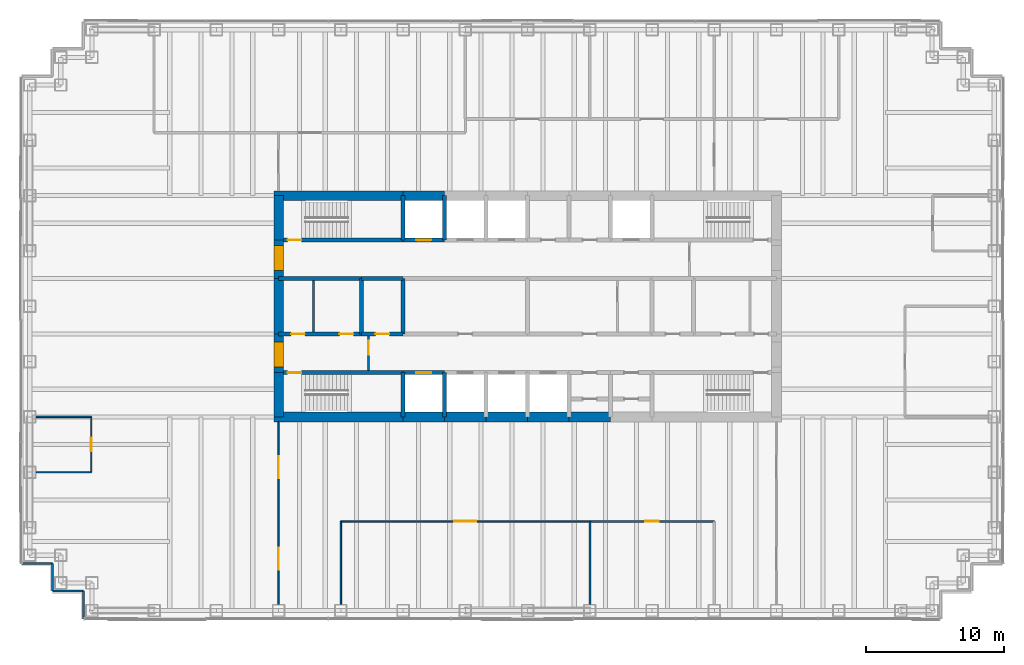
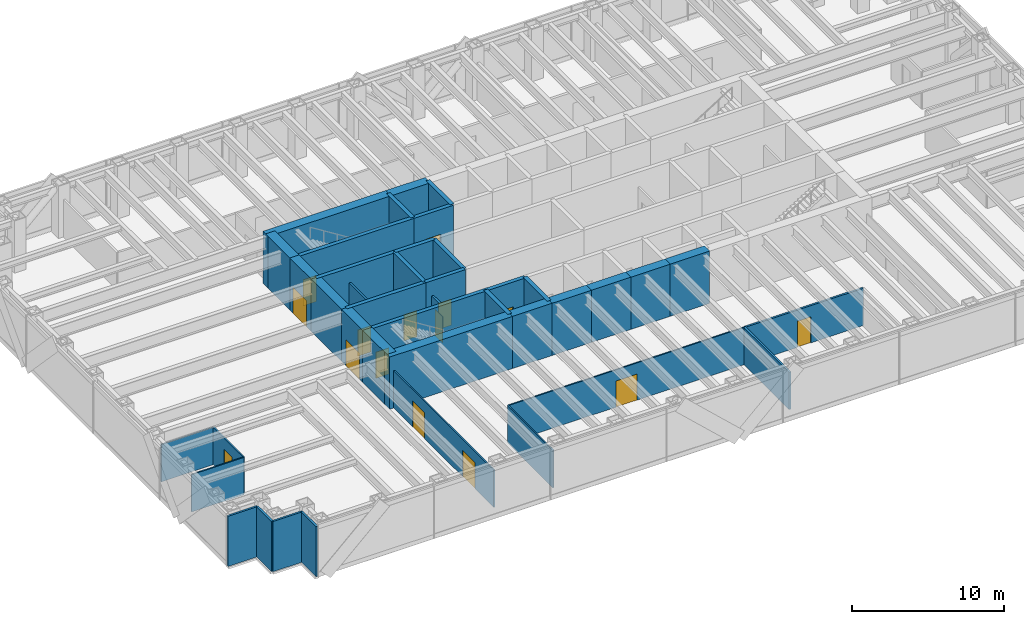
# One storey, part 13 of 17: 41 walls, 15 doors, 15 openings.
"""IFC4 building model written with IfcOpenShell, lengths in metres."""

from ifc_helpers import new_model, si_unit, direction, frame, frame_2d, origin, place, context, subcontext, project, spatial, rectangle, extrude, material, layer, layer_set, type_object, element, fill, save


model = new_model("IFC4")

# Units and contexts
model_context = context("Model", 3, precision=1e-05, world=origin(), true_north=direction((0.0, 1.0)))
body_context = subcontext(model_context, "Body", "Model", "MODEL_VIEW")
ifc_project = project(units=[si_unit("LENGTHUNIT", "METRE"), si_unit("AREAUNIT", "SQUARE_METRE"), si_unit("VOLUMEUNIT", "CUBIC_METRE"), si_unit("PLANEANGLEUNIT", "RADIAN"), si_unit("MASSUNIT", "GRAM", prefix="KILO")], contexts=[model_context])

# Site, building, storey
site_placement = place(None, origin())
site = spatial("IfcSite", under=ifc_project, at=site_placement, CompositionType="ELEMENT")
building_placement = place(site_placement, origin())
building = spatial("IfcBuilding", under=site, at=building_placement, Name="Rheinbord Bourse Tower", CompositionType="ELEMENT")
storey_placement = place(building_placement, frame((0.0, 0.0, 304.699951171875)))
storey = spatial("IfcBuildingStorey", under=building, at=storey_placement, Name="L69", CompositionType="ELEMENT", Elevation=304.699951171875)

# Wall, opening, door
ifc_material_1 = material(Name="Concrete C50/60", Category="concrete")
ifc_layer_1 = layer(ifc_material_1, 0.300048828125)
ifc_layer_set_1 = layer_set([ifc_layer_1], Name="CORE INNER WALL 300")
wall_type_1 = type_object("IfcWallType", Name="CORE INNER WALL 300", PredefinedType="SOLIDWALL", material=ifc_layer_set_1)
wall_1_placement = place(storey_placement, frame((18.0, 19.199951171875, 0.0), z_axis=(0.0, 0.0, 1.0), x_axis=(1.0, 0.0, 0.0)))
wall_1 = element("IfcWall", 1, at=wall_1_placement, inside=storey, type_object=wall_type_1, Name="Core wall A1 L69", PredefinedType="SOLIDWALL", context=body_context, shape_type="SweptSolid", body=[
    extrude(rectangle(XDim=9.0, YDim=0.300048828125, at=frame_2d((4.5, 0.0))), origin(), (0.0, 0.0, 1.0), 4.199951171875),
])
opening_1_placement = place(wall_1_placement, frame((0.64990234375, 0.0, 0.0)))
opening_1 = element("IfcOpeningElement", 2, at=opening_1_placement, cuts=wall_1, Name="Opening 6910", PredefinedType="OPENING", context=body_context, shape_type="SweptSolid", body=[
    extrude(rectangle(XDim=1.0, YDim=2.10009765625, at=frame_2d((0.5, 1.050048828125))), frame((0.0, 0.159912109375, 0.0), z_axis=(0.0, -1.0, 0.0), x_axis=(1.0, 0.0, 0.0)), (0.0, 0.0, 1.0), 0.320068359375),
])
ifc_material_2 = material(Name="Steel door", Category="steel")
door_type_1 = type_object("IfcDoorType", Name="DOOR 1000 EI30", OperationType="SINGLE_SWING_LEFT", PredefinedType="DOOR", material=ifc_material_2)
door_1_placement = place(opening_1_placement, origin())
door_1 = element("IfcDoor", 3, at=door_1_placement, inside=storey, type_object=door_type_1, Name="Stair door ST1 L69", OperationType="SINGLE_SWING_LEFT", OverallHeight=2.10009765625, OverallWidth=1.0, PredefinedType="DOOR", context=body_context, shape_type="SweptSolid", body=[
    extrude(rectangle(XDim=1.0, YDim=2.10009765625, at=frame_2d((0.5, 1.050048828125))), frame((0.0, 0.02490234375, 0.0), z_axis=(0.0, -1.0, 0.0), x_axis=(1.0, 0.0, 0.0)), (0.0, 0.0, 1.0), 0.050048828125),
])
fill(opening_1, door_1)

wall_2_placement = place(storey_placement, frame((27.0, 19.199951171875, 0.0), z_axis=(0.0, 0.0, 1.0), x_axis=(1.0, 0.0, 0.0)))
wall_2 = element("IfcWall", 4, at=wall_2_placement, inside=storey, type_object=wall_type_1, Name="Core wall A2 L69", PredefinedType="SOLIDWALL", context=body_context, shape_type="SweptSolid", body=[
    extrude(rectangle(XDim=3.0, YDim=0.300048828125, at=frame_2d((1.5, 0.0))), origin(), (0.0, 0.0, 1.0), 4.199951171875),
])
opening_2_placement = place(wall_2_placement, frame((0.949951171875, 0.0, 0.0)))
opening_2 = element("IfcOpeningElement", 5, at=opening_2_placement, cuts=wall_2, Name="Opening FL1", PredefinedType="OPENING", context=body_context, shape_type="SweptSolid", body=[
    extrude(rectangle(XDim=1.10009765625, YDim=2.199951171875, at=frame_2d((0.550048828125, 1.10009765625))), frame((0.0, 0.159912109375, 0.0), z_axis=(0.0, -1.0, 0.0), x_axis=(1.0, 0.0, 0.0)), (0.0, 0.0, 1.0), 0.320068359375),
])
ifc_material_3 = material(Name="Steel landing door", Category="steel")
door_type_2 = type_object("IfcDoorType", Name="LIFT LANDING DOOR 1100", OperationType="DOUBLE_DOOR_SLIDING", PredefinedType="USERDEFINED", material=ifc_material_3)
door_2_placement = place(opening_2_placement, origin())
door_2 = element("IfcDoor", 6, at=door_2_placement, inside=storey, type_object=door_type_2, Name="Lift landing door FL1 L69", ObjectType="LIFT LANDING DOOR", OperationType="DOUBLE_DOOR_SLIDING", OverallHeight=2.199951171875, OverallWidth=1.10009765625, PredefinedType="USERDEFINED", context=body_context, shape_type="SweptSolid", body=[
    extrude(rectangle(XDim=1.10009765625, YDim=2.199951171875, at=frame_2d((0.550048828125, 1.10009765625))), frame((0.0, 0.02490234375, 0.0), z_axis=(0.0, -1.0, 0.0), x_axis=(1.0, 0.0, 0.0)), (0.0, 0.0, 1.0), 0.050048828125),
])
fill(opening_2, door_2)

wall_3_placement = place(storey_placement, frame((18.0, 28.800048828125, 0.0), z_axis=(0.0, 0.0, 1.0), x_axis=(1.0, 0.0, 0.0)))
wall_3 = element("IfcWall", 7, at=wall_3_placement, inside=storey, type_object=wall_type_1, Name="Core wall B1 L69", PredefinedType="SOLIDWALL", context=body_context, shape_type="SweptSolid", body=[
    extrude(rectangle(XDim=9.0, YDim=0.300048828125, at=frame_2d((4.5, 0.0))), origin(), (0.0, 0.0, 1.0), 4.199951171875),
])
opening_3_placement = place(wall_3_placement, frame((0.64990234375, 0.0, 0.0)))
opening_3 = element("IfcOpeningElement", 8, at=opening_3_placement, cuts=wall_3, Name="Opening 6920", PredefinedType="OPENING", context=body_context, shape_type="SweptSolid", body=[
    extrude(rectangle(XDim=1.0, YDim=2.10009765625, at=frame_2d((0.5, 1.050048828125))), frame((0.0, 0.159912109375, 0.0), z_axis=(0.0, -1.0, 0.0), x_axis=(1.0, 0.0, 0.0)), (0.0, 0.0, 1.0), 0.320068359375),
])
door_3_placement = place(opening_3_placement, origin())
door_3 = element("IfcDoor", 9, at=door_3_placement, inside=storey, type_object=door_type_1, Name="Stair door ST2 L69", OperationType="SINGLE_SWING_LEFT", OverallHeight=2.10009765625, OverallWidth=1.0, PredefinedType="DOOR", context=body_context, shape_type="SweptSolid", body=[
    extrude(rectangle(XDim=1.0, YDim=2.10009765625, at=frame_2d((0.5, 1.050048828125))), frame((0.0, 0.02490234375, 0.0), z_axis=(0.0, -1.0, 0.0), x_axis=(1.0, 0.0, 0.0)), (0.0, 0.0, 1.0), 0.050048828125),
])
fill(opening_3, door_3)

wall_4_placement = place(storey_placement, frame((27.0, 28.800048828125, 0.0), z_axis=(0.0, 0.0, 1.0), x_axis=(1.0, 0.0, 0.0)))
wall_4 = element("IfcWall", 10, at=wall_4_placement, inside=storey, type_object=wall_type_1, Name="Core wall B2 L69", PredefinedType="SOLIDWALL", context=body_context, shape_type="SweptSolid", body=[
    extrude(rectangle(XDim=3.0, YDim=0.300048828125, at=frame_2d((1.5, 0.0))), origin(), (0.0, 0.0, 1.0), 4.199951171875),
])
opening_4_placement = place(wall_4_placement, frame((0.949951171875, 0.0, 0.0)))
opening_4 = element("IfcOpeningElement", 11, at=opening_4_placement, cuts=wall_4, Name="Opening GL1", PredefinedType="OPENING", context=body_context, shape_type="SweptSolid", body=[
    extrude(rectangle(XDim=1.10009765625, YDim=2.199951171875, at=frame_2d((0.550048828125, 1.10009765625))), frame((0.0, 0.159912109375, 0.0), z_axis=(0.0, -1.0, 0.0), x_axis=(1.0, 0.0, 0.0)), (0.0, 0.0, 1.0), 0.320068359375),
])
door_4_placement = place(opening_4_placement, origin())
door_4 = element("IfcDoor", 12, at=door_4_placement, inside=storey, type_object=door_type_2, Name="Lift landing door GL1 L69", ObjectType="LIFT LANDING DOOR", OperationType="DOUBLE_DOOR_SLIDING", OverallHeight=2.199951171875, OverallWidth=1.10009765625, PredefinedType="USERDEFINED", context=body_context, shape_type="SweptSolid", body=[
    extrude(rectangle(XDim=1.10009765625, YDim=2.199951171875, at=frame_2d((0.550048828125, 1.10009765625))), frame((0.0, 0.02490234375, 0.0), z_axis=(0.0, -1.0, 0.0), x_axis=(1.0, 0.0, 0.0)), (0.0, 0.0, 1.0), 0.050048828125),
])
fill(opening_4, door_4)

# Wall, openings, doors
wall_5_placement = place(storey_placement, frame((18.0, 22.0, 0.0), z_axis=(0.0, 0.0, 1.0), x_axis=(1.0, 0.0, 0.0)))
wall_5 = element("IfcWall", 13, at=wall_5_placement, inside=storey, type_object=wall_type_1, Name="Core wall C1 L69", PredefinedType="SOLIDWALL", context=body_context, shape_type="SweptSolid", body=[
    extrude(rectangle(XDim=6.0, YDim=0.300048828125, at=frame_2d((3.0, 0.0))), origin(), (0.0, 0.0, 1.0), 4.199951171875),
])
opening_5_placement = place(wall_5_placement, frame((4.39990234375, 0.0, 0.0)))
opening_5 = element("IfcOpeningElement", 14, at=opening_5_placement, cuts=wall_5, Name="Opening 69R1", PredefinedType="OPENING", context=body_context, shape_type="SweptSolid", body=[
    extrude(rectangle(XDim=1.0, YDim=2.10009765625, at=frame_2d((0.5, 1.050048828125))), frame((0.0, 0.159912109375, 0.0), z_axis=(0.0, -1.0, 0.0), x_axis=(1.0, 0.0, 0.0)), (0.0, 0.0, 1.0), 0.320068359375),
])
opening_6_placement = place(wall_5_placement, frame((0.89990234375, 0.0, 0.0)))
opening_6 = element("IfcOpeningElement", 15, at=opening_6_placement, cuts=wall_5, Name="Opening 69R9", PredefinedType="OPENING", context=body_context, shape_type="SweptSolid", body=[
    extrude(rectangle(XDim=1.0, YDim=2.10009765625, at=frame_2d((0.5, 1.050048828125))), frame((0.0, 0.159912109375, 0.0), z_axis=(0.0, -1.0, 0.0), x_axis=(1.0, 0.0, 0.0)), (0.0, 0.0, 1.0), 0.320068359375),
])
door_5_placement = place(opening_6_placement, origin())
door_5 = element("IfcDoor", 16, at=door_5_placement, inside=storey, type_object=door_type_1, Name="Baby change door L69", OperationType="SINGLE_SWING_LEFT", OverallHeight=2.10009765625, OverallWidth=1.0, PredefinedType="DOOR", context=body_context, shape_type="SweptSolid", body=[
    extrude(rectangle(XDim=1.0, YDim=2.10009765625, at=frame_2d((0.5, 1.050048828125))), frame((0.0, 0.02490234375, 0.0), z_axis=(0.0, -1.0, 0.0), x_axis=(1.0, 0.0, 0.0)), (0.0, 0.0, 1.0), 0.050048828125),
])
fill(opening_6, door_5)
ifc_material_4 = material(Name="Timber door", Category="wood")
door_type_3 = type_object("IfcDoorType", Name="DOOR 1000 WC", OperationType="SINGLE_SWING_LEFT", PredefinedType="DOOR", material=ifc_material_4)
door_6_placement = place(opening_5_placement, origin())
door_6 = element("IfcDoor", 17, at=door_6_placement, inside=storey, type_object=door_type_3, Name="WC men door L69", OperationType="SINGLE_SWING_RIGHT", OverallHeight=2.10009765625, OverallWidth=1.0, PredefinedType="DOOR", context=body_context, shape_type="SweptSolid", body=[
    extrude(rectangle(XDim=1.0, YDim=2.10009765625, at=frame_2d((0.5, 1.050048828125))), frame((0.0, 0.02490234375, 0.0), z_axis=(0.0, -1.0, 0.0), x_axis=(1.0, 0.0, 0.0)), (0.0, 0.0, 1.0), 0.050048828125),
])
fill(opening_5, door_6)

# Wall, opening, door
wall_6_placement = place(storey_placement, frame((24.0, 22.0, 0.0), z_axis=(0.0, 0.0, 1.0), x_axis=(1.0, 0.0, 0.0)))
wall_6 = element("IfcWall", 18, at=wall_6_placement, inside=storey, type_object=wall_type_1, Name="Core wall C2 L69", PredefinedType="SOLIDWALL", context=body_context, shape_type="SweptSolid", body=[
    extrude(rectangle(XDim=3.0, YDim=0.300048828125, at=frame_2d((1.5, 0.0))), origin(), (0.0, 0.0, 1.0), 4.199951171875),
])
opening_7_placement = place(wall_6_placement, frame((1.0, 0.0, 0.0)))
opening_7 = element("IfcOpeningElement", 19, at=opening_7_placement, cuts=wall_6, Name="Opening 69R2", PredefinedType="OPENING", context=body_context, shape_type="SweptSolid", body=[
    extrude(rectangle(XDim=1.0, YDim=2.10009765625, at=frame_2d((0.5, 1.050048828125))), frame((0.0, 0.159912109375, 0.0), z_axis=(0.0, -1.0, 0.0), x_axis=(1.0, 0.0, 0.0)), (0.0, 0.0, 1.0), 0.320068359375),
])
door_7_placement = place(opening_7_placement, origin())
door_7 = element("IfcDoor", 20, at=door_7_placement, inside=storey, type_object=door_type_3, Name="Shower and accessible WC door L69", OperationType="SINGLE_SWING_LEFT", OverallHeight=2.10009765625, OverallWidth=1.0, PredefinedType="DOOR", context=body_context, shape_type="SweptSolid", body=[
    extrude(rectangle(XDim=1.0, YDim=2.10009765625, at=frame_2d((0.5, 1.050048828125))), frame((0.0, 0.02490234375, 0.0), z_axis=(0.0, -1.0, 0.0), x_axis=(1.0, 0.0, 0.0)), (0.0, 0.0, 1.0), 0.050048828125),
])
fill(opening_7, door_7)

# Walls
wall_7_placement = place(storey_placement, frame((18.0, 26.0, 0.0), z_axis=(0.0, 0.0, 1.0), x_axis=(1.0, 0.0, 0.0)))
element("IfcWall", 21, at=wall_7_placement, inside=storey, type_object=wall_type_1, Name="Core wall D1 L69", PredefinedType="SOLIDWALL", context=body_context, shape_type="SweptSolid", body=[
    extrude(rectangle(XDim=6.0, YDim=0.300048828125, at=frame_2d((3.0, 0.0))), origin(), (0.0, 0.0, 1.0), 4.199951171875),
])
wall_8_placement = place(storey_placement, frame((24.0, 26.0, 0.0), z_axis=(0.0, 0.0, 1.0), x_axis=(1.0, 0.0, 0.0)))
element("IfcWall", 22, at=wall_8_placement, inside=storey, type_object=wall_type_1, Name="Core wall D2 L69", PredefinedType="SOLIDWALL", context=body_context, shape_type="SweptSolid", body=[
    extrude(rectangle(XDim=3.0, YDim=0.300048828125, at=frame_2d((1.5, 0.0))), origin(), (0.0, 0.0, 1.0), 4.199951171875),
])
for number, where, z_axis, x_axis, name in (
    (23, (27.0, 16.0, 0.0), (0.0, 0.0, 1.0), (0.0, 1.0, 0.0), "Core wall SX27 L69"),
    (24, (27.0, 28.800048828125, 0.0), (0.0, 0.0, 1.0), (0.0, 1.0, 0.0), "Core wall NX27 L69"),
    (25, (30.0, 16.0, 0.0), (0.0, 0.0, 1.0), (0.0, 1.0, 0.0), "Core wall SX30 L69"),
    (26, (30.0, 28.800048828125, 0.0), (0.0, 0.0, 1.0), (0.0, 1.0, 0.0), "Core wall NX30 L69"),
):
    element("IfcWall", number, at=place(storey_placement, frame(where, z_axis=z_axis, x_axis=x_axis)), inside=storey, type_object=wall_type_1, Name=name, PredefinedType="SOLIDWALL", context=body_context, shape_type="SweptSolid", body=[
        extrude(rectangle(XDim=3.199951171875, YDim=0.300048828125, at=frame_2d((1.60009765625, 0.0))), origin(), (0.0, 0.0, 1.0), 4.199951171875),
    ])
for number, where, z_axis, x_axis, name in (
    (27, (24.0, 22.0, 0.0), (0.0, 0.0, 1.0), (0.0, 1.0, 0.0), "Core wall MX24 L69"),
    (28, (27.0, 22.0, 0.0), (0.0, 0.0, 1.0), (0.0, 1.0, 0.0), "Core wall MX27 L69"),
):
    element("IfcWall", number, at=place(storey_placement, frame(where, z_axis=z_axis, x_axis=x_axis)), inside=storey, type_object=wall_type_1, Name=name, PredefinedType="SOLIDWALL", context=body_context, shape_type="SweptSolid", body=[
        extrude(rectangle(XDim=4.0, YDim=0.300048828125, at=frame_2d((2.0, 0.0))), origin(), (0.0, 0.0, 1.0), 4.199951171875),
    ])
ifc_material_5 = material(Name="Gypsum board fire partition", Category="gypsum board")
ifc_layer_2 = layer(ifc_material_5, 0.14990234375)
ifc_layer_set_2 = layer_set([ifc_layer_2], Name="CORE PARTITION 150 EI30")
wall_type_2 = type_object("IfcWallType", Name="CORE PARTITION 150 EI30", PredefinedType="PARTITIONING", material=ifc_layer_set_2)
wall_9_placement = place(storey_placement, frame((20.52490234375, 22.14990234375, 0.0), z_axis=(0.0, 0.0, 1.0), x_axis=(0.0, 1.0, 0.0)))
element("IfcWall", 29, at=wall_9_placement, inside=storey, type_object=wall_type_2, Name="Core partition L69-2", PredefinedType="PARTITIONING", context=body_context, shape_type="SweptSolid", body=[
    extrude(rectangle(XDim=3.7001953125, YDim=0.14990234375, at=frame_2d((1.85009765625, 0.0))), origin(), (0.0, 0.0, 1.0), 3.0),
])

# Wall, opening, door
wall_10_placement = place(storey_placement, frame((24.5, 19.35009765625, 0.0), z_axis=(0.0, 0.0, 1.0), x_axis=(0.0, 1.0, 0.0)))
wall_10 = element("IfcWall", 30, at=wall_10_placement, inside=storey, type_object=wall_type_2, Name="Core partition L69-4", PredefinedType="PARTITIONING", context=body_context, shape_type="SweptSolid", body=[
    extrude(rectangle(XDim=2.5, YDim=0.14990234375, at=frame_2d((1.25, 0.0))), origin(), (0.0, 0.0, 1.0), 3.0),
])
opening_8_placement = place(wall_10_placement, frame((1.14990234375, 0.0, 0.0)))
opening_8 = element("IfcOpeningElement", 31, at=opening_8_placement, cuts=wall_10, Name="Opening 69L5", PredefinedType="OPENING", context=body_context, shape_type="SweptSolid", body=[
    extrude(rectangle(XDim=1.0, YDim=2.10009765625, at=frame_2d((0.5, 1.050048828125))), frame((0.0, 0.0849609375, 0.0), z_axis=(0.0, -1.0, 0.0), x_axis=(1.0, 0.0, 0.0)), (0.0, 0.0, 1.0), 0.169921875),
])
door_8_placement = place(opening_8_placement, origin())
door_8 = element("IfcDoor", 32, at=door_8_placement, inside=storey, type_object=door_type_1, Name="Stair lobby door L69", OperationType="SINGLE_SWING_RIGHT", OverallHeight=2.10009765625, OverallWidth=1.0, PredefinedType="DOOR", context=body_context, shape_type="SweptSolid", body=[
    extrude(rectangle(XDim=1.0, YDim=2.10009765625, at=frame_2d((0.5, 1.050048828125))), frame((0.0, 0.02490234375, 0.0), z_axis=(0.0, -1.0, 0.0), x_axis=(1.0, 0.0, 0.0)), (0.0, 0.0, 1.0), 0.050048828125),
])
fill(opening_8, door_8)

# Walls
ifc_material_6 = material(Name="Concrete C50/60", Category="concrete")
ifc_layer_3 = layer(ifc_material_6, 0.699951171875)
ifc_layer_set_3 = layer_set([ifc_layer_3], Name="CORE WALL 700")
wall_type_3 = type_object("IfcWallType", Name="CORE WALL 700", PredefinedType="SHEAR", material=ifc_layer_set_3)
wall_11_placement = place(storey_placement, frame((17.64990234375, 16.0, 0.0), z_axis=(0.0, 0.0, 1.0), x_axis=(1.0, 0.0, 0.0)))
element("IfcWall", 33, at=wall_11_placement, inside=storey, type_object=wall_type_3, Name="Core wall S1 L69", PredefinedType="SHEAR", context=body_context, shape_type="SweptSolid", body=[
    extrude(rectangle(XDim=9.35009765625, YDim=0.699951171875, at=frame_2d((4.675048828125, 0.0))), origin(), (0.0, 0.0, 1.0), 4.199951171875),
])
for number, where, z_axis, x_axis, name in (
    (34, (27.0, 16.0, 0.0), (0.0, 0.0, 1.0), (1.0, 0.0, 0.0), "Core wall S2 L69"),
    (35, (30.0, 16.0, 0.0), (0.0, 0.0, 1.0), (1.0, 0.0, 0.0), "Core wall S3 L69"),
    (36, (33.0, 16.0, 0.0), (0.0, 0.0, 1.0), (1.0, 0.0, 0.0), "Core wall S4 L69"),
    (37, (36.0, 16.0, 0.0), (0.0, 0.0, 1.0), (1.0, 0.0, 0.0), "Core wall S5 L69"),
    (38, (39.0, 16.0, 0.0), (0.0, 0.0, 1.0), (1.0, 0.0, 0.0), "Core wall S6 L69"),
    (39, (30.0, 32.0, 0.0), (0.0, 0.0, 1.0), (-1.0, 0.0, 0.0), "Core wall N7 L69"),
):
    element("IfcWall", number, at=place(storey_placement, frame(where, z_axis=z_axis, x_axis=x_axis)), inside=storey, type_object=wall_type_3, Name=name, PredefinedType="SHEAR", context=body_context, shape_type="SweptSolid", body=[
        extrude(rectangle(XDim=3.0, YDim=0.699951171875, at=frame_2d((1.5, 0.0))), origin(), (0.0, 0.0, 1.0), 4.199951171875),
    ])
wall_12_placement = place(storey_placement, frame((27.0, 32.0, 0.0), z_axis=(0.0, 0.0, 1.0), x_axis=(-1.0, 0.0, 0.0)))
element("IfcWall", 40, at=wall_12_placement, inside=storey, type_object=wall_type_3, Name="Core wall N8 L69", PredefinedType="SHEAR", context=body_context, shape_type="SweptSolid", body=[
    extrude(rectangle(XDim=9.35009765625, YDim=0.699951171875, at=frame_2d((4.675048828125, 0.0))), origin(), (0.0, 0.0, 1.0), 4.199951171875),
])
wall_13_placement = place(storey_placement, frame((18.0, 32.0, 0.0), z_axis=(0.0, 0.0, 1.0), x_axis=(0.0, -1.0, 0.0)))
element("IfcWall", 41, at=wall_13_placement, inside=storey, type_object=wall_type_3, Name="Core wall W1 L69", PredefinedType="SHEAR", context=body_context, shape_type="SweptSolid", body=[
    extrude(rectangle(XDim=3.199951171875, YDim=0.699951171875, at=frame_2d((1.60009765625, 0.0))), origin(), (0.0, 0.0, 1.0), 4.199951171875),
])

# Wall, opening, door
wall_14_placement = place(storey_placement, frame((18.0, 28.800048828125, 0.0), z_axis=(0.0, 0.0, 1.0), x_axis=(0.0, -1.0, 0.0)))
wall_14 = element("IfcWall", 42, at=wall_14_placement, inside=storey, type_object=wall_type_3, Name="Core wall W2 L69", PredefinedType="SHEAR", context=body_context, shape_type="SweptSolid", body=[
    extrude(rectangle(XDim=2.800048828125, YDim=0.699951171875, at=frame_2d((1.39990234375, 0.0))), origin(), (0.0, 0.0, 1.0), 4.199951171875),
])
opening_9_placement = place(wall_14_placement, frame((0.39990234375, 0.0, 0.0)))
opening_9 = element("IfcOpeningElement", 43, at=opening_9_placement, cuts=wall_14, Name="Opening 69L2", PredefinedType="OPENING", context=body_context, shape_type="SweptSolid", body=[
    extrude(rectangle(XDim=1.800048828125, YDim=2.10009765625, at=frame_2d((0.89990234375, 1.050048828125))), frame((0.0, 0.35986328125, 0.0), z_axis=(0.0, -1.0, 0.0), x_axis=(1.0, 0.0, 0.0)), (0.0, 0.0, 1.0), 0.719970703125),
])
ifc_material_7 = material(Name="Steel door", Category="steel")
door_type_4 = type_object("IfcDoorType", Name="DOOR 1800 EI30 DOUBLE", OperationType="DOUBLE_DOOR_DOUBLE_SWING", PredefinedType="DOOR", material=ifc_material_7)
door_9_placement = place(opening_9_placement, origin())
door_9 = element("IfcDoor", 44, at=door_9_placement, inside=storey, type_object=door_type_4, Name="Lobby door 2 L69", OperationType="SINGLE_SWING_LEFT", OverallHeight=2.10009765625, OverallWidth=1.800048828125, PredefinedType="DOOR", context=body_context, shape_type="SweptSolid", body=[
    extrude(rectangle(XDim=1.800048828125, YDim=2.10009765625, at=frame_2d((0.89990234375, 1.050048828125))), frame((0.0, 0.349609375, 0.0), z_axis=(0.0, -1.0, 0.0), x_axis=(1.0, 0.0, 0.0)), (0.0, 0.0, 1.0), 0.699462890625),
])
fill(opening_9, door_9)

# Wall
wall_15_placement = place(storey_placement, frame((18.0, 26.0, 0.0), z_axis=(0.0, 0.0, 1.0), x_axis=(0.0, -1.0, 0.0)))
element("IfcWall", 45, at=wall_15_placement, inside=storey, type_object=wall_type_3, Name="Core wall W3 L69", PredefinedType="SHEAR", context=body_context, shape_type="SweptSolid", body=[
    extrude(rectangle(XDim=4.0, YDim=0.699951171875, at=frame_2d((2.0, 0.0))), origin(), (0.0, 0.0, 1.0), 4.199951171875),
])

# Wall, opening, door
wall_16_placement = place(storey_placement, frame((18.0, 22.0, 0.0), z_axis=(0.0, 0.0, 1.0), x_axis=(0.0, -1.0, 0.0)))
wall_16 = element("IfcWall", 46, at=wall_16_placement, inside=storey, type_object=wall_type_3, Name="Core wall W4 L69", PredefinedType="SHEAR", context=body_context, shape_type="SweptSolid", body=[
    extrude(rectangle(XDim=2.800048828125, YDim=0.699951171875, at=frame_2d((1.39990234375, 0.0))), origin(), (0.0, 0.0, 1.0), 4.199951171875),
])
opening_10_placement = place(wall_16_placement, frame((0.60009765625, 0.0, 0.0)))
opening_10 = element("IfcOpeningElement", 47, at=opening_10_placement, cuts=wall_16, Name="Opening 69L1", PredefinedType="OPENING", context=body_context, shape_type="SweptSolid", body=[
    extrude(rectangle(XDim=1.800048828125, YDim=2.10009765625, at=frame_2d((0.89990234375, 1.050048828125))), frame((0.0, 0.35986328125, 0.0), z_axis=(0.0, -1.0, 0.0), x_axis=(1.0, 0.0, 0.0)), (0.0, 0.0, 1.0), 0.719970703125),
])
door_10_placement = place(opening_10_placement, origin())
door_10 = element("IfcDoor", 48, at=door_10_placement, inside=storey, type_object=door_type_4, Name="Lobby door 1 L69", OperationType="SINGLE_SWING_LEFT", OverallHeight=2.10009765625, OverallWidth=1.800048828125, PredefinedType="DOOR", context=body_context, shape_type="SweptSolid", body=[
    extrude(rectangle(XDim=1.800048828125, YDim=2.10009765625, at=frame_2d((0.89990234375, 1.050048828125))), frame((0.0, 0.349609375, 0.0), z_axis=(0.0, -1.0, 0.0), x_axis=(1.0, 0.0, 0.0)), (0.0, 0.0, 1.0), 0.699462890625),
])
fill(opening_10, door_10)

# Walls
wall_17_placement = place(storey_placement, frame((18.0, 19.199951171875, 0.0), z_axis=(0.0, 0.0, 1.0), x_axis=(0.0, -1.0, 0.0)))
element("IfcWall", 49, at=wall_17_placement, inside=storey, type_object=wall_type_3, Name="Core wall W5 L69", PredefinedType="SHEAR", context=body_context, shape_type="SweptSolid", body=[
    extrude(rectangle(XDim=3.199951171875, YDim=0.699951171875, at=frame_2d((1.60009765625, 0.0))), origin(), (0.0, 0.0, 1.0), 4.199951171875),
])
ifc_material_8 = material(Name="Black metal rainscreen panel", Category="aluminium")
ifc_layer_4 = layer(ifc_material_8, 0.14990234375)
ifc_layer_set_4 = layer_set([ifc_layer_4], Name="CORNER PIER CLADDING 150")
wall_type_4 = type_object("IfcWallType", Name="CORNER PIER CLADDING 150", PredefinedType="ELEMENTEDWALL", material=ifc_layer_set_4)
wall_18_placement = place(storey_placement, frame((-0.60009765625, 5.39990234375, 0.0), z_axis=(0.0, 0.0, 1.0), x_axis=(1.0, 0.0, 0.0)))
element("IfcWall", 50, at=wall_18_placement, inside=storey, type_object=wall_type_4, Name="Corner pier cladding L69 17", PredefinedType="ELEMENTEDWALL", context=body_context, shape_type="SweptSolid", body=[
    extrude(rectangle(XDim=2.25, YDim=0.14990234375, at=frame_2d((1.125, 0.0))), origin(), (0.0, 0.0, 1.0), 4.0400390625),
])
wall_19_placement = place(storey_placement, frame((1.64990234375, 5.39990234375, 0.0), z_axis=(0.0, 0.0, 1.0), x_axis=(0.0, -1.0, 0.0)))
element("IfcWall", 51, at=wall_19_placement, inside=storey, type_object=wall_type_4, Name="Corner pier cladding L69 18", PredefinedType="ELEMENTEDWALL", context=body_context, shape_type="SweptSolid", body=[
    extrude(rectangle(XDim=2.0, YDim=0.14990234375, at=frame_2d((1.0, 0.0))), origin(), (0.0, 0.0, 1.0), 4.0400390625),
])
wall_20_placement = place(storey_placement, frame((1.64990234375, 3.39990234375, 0.0), z_axis=(0.0, 0.0, 1.0), x_axis=(1.0, 0.0, 0.0)))
element("IfcWall", 52, at=wall_20_placement, inside=storey, type_object=wall_type_4, Name="Corner pier cladding L69 19", PredefinedType="ELEMENTEDWALL", context=body_context, shape_type="SweptSolid", body=[
    extrude(rectangle(XDim=2.25, YDim=0.14990234375, at=frame_2d((1.125, 0.0))), origin(), (0.0, 0.0, 1.0), 4.0400390625),
])
wall_21_placement = place(storey_placement, frame((3.89990234375, 3.39990234375, 0.0), z_axis=(0.0, 0.0, 1.0), x_axis=(0.0, -1.0, 0.0)))
element("IfcWall", 53, at=wall_21_placement, inside=storey, type_object=wall_type_4, Name="Corner pier cladding L69 20", PredefinedType="ELEMENTEDWALL", context=body_context, shape_type="SweptSolid", body=[
    extrude(rectangle(XDim=2.0, YDim=0.14990234375, at=frame_2d((1.0, 0.0))), origin(), (0.0, 0.0, 1.0), 4.0400390625),
])

# Wall, opening, door
ifc_material_9 = material(Name="Toughened laminated glass partition", Category="glass")
ifc_layer_5 = layer(ifc_material_9, 0.10009765625)
ifc_layer_set_5 = layer_set([ifc_layer_5], Name="GLAZED PARTITION 100")
wall_type_5 = type_object("IfcWallType", Name="GLAZED PARTITION 100", PredefinedType="PARTITIONING", material=ifc_layer_set_5)
wall_22_placement = place(storey_placement, frame((22.5, 8.449951171875, 0.0), z_axis=(0.0, 0.0, 1.0), x_axis=(1.0, 0.0, 0.0)))
wall_22 = element("IfcWall", 54, at=wall_22_placement, inside=storey, type_object=wall_type_5, Name="Partition L69-01", PredefinedType="PARTITIONING", context=body_context, shape_type="SweptSolid", body=[
    extrude(rectangle(XDim=18.0, YDim=0.10009765625, at=frame_2d((9.0, 0.0))), origin(), (0.0, 0.0, 1.0), 3.0),
])
opening_11_placement = place(wall_22_placement, frame((8.199951171875, 0.0, 0.0)))
opening_11 = element("IfcOpeningElement", 55, at=opening_11_placement, cuts=wall_22, Name="Opening 69D01", PredefinedType="OPENING", context=body_context, shape_type="SweptSolid", body=[
    extrude(rectangle(XDim=1.60009765625, YDim=2.10009765625, at=frame_2d((0.800048828125, 1.050048828125))), frame((0.0, 0.06005859375, 0.0), z_axis=(0.0, -1.0, 0.0), x_axis=(1.0, 0.0, 0.0)), (0.0, 0.0, 1.0), 0.1201171875),
])
ifc_material_10 = material(Name="Timber door", Category="wood")
door_type_5 = type_object("IfcDoorType", Name="DOUBLE ROOM DOOR 1600", OperationType="DOUBLE_DOOR_DOUBLE_SWING", PredefinedType="DOOR", material=ifc_material_10)
door_11_placement = place(opening_11_placement, origin())
door_11 = element("IfcDoor", 56, at=door_11_placement, inside=storey, type_object=door_type_5, Name="Business centre door L69", OperationType="SINGLE_SWING_LEFT", OverallHeight=2.10009765625, OverallWidth=1.60009765625, PredefinedType="DOOR", context=body_context, shape_type="SweptSolid", body=[
    extrude(rectangle(XDim=1.60009765625, YDim=2.10009765625, at=frame_2d((0.800048828125, 1.050048828125))), frame((0.0, 0.02490234375, 0.0), z_axis=(0.0, -1.0, 0.0), x_axis=(1.0, 0.0, 0.0)), (0.0, 0.0, 1.0), 0.050048828125),
])
fill(opening_11, door_11)

# Walls
for number, where, z_axis, x_axis, name in (
    (57, (0.449951171875, 12.0, 0.0), (0.0, 0.0, 1.0), (1.0, 0.0, 0.0), "Partition L69-03"),
    (58, (0.449951171875, 16.0, 0.0), (0.0, 0.0, 1.0), (1.0, 0.0, 0.0), "Partition L69-04"),
):
    element("IfcWall", number, at=place(storey_placement, frame(where, z_axis=z_axis, x_axis=x_axis)), inside=storey, type_object=wall_type_5, Name=name, PredefinedType="PARTITIONING", context=body_context, shape_type="SweptSolid", body=[
        extrude(rectangle(XDim=4.0, YDim=0.10009765625, at=frame_2d((2.0, 0.0))), origin(), (0.0, 0.0, 1.0), 3.0),
    ])

# Wall, opening, door
wall_23_placement = place(storey_placement, frame((4.449951171875, 12.0, 0.0), z_axis=(0.0, 0.0, 1.0), x_axis=(0.0, 1.0, 0.0)))
wall_23 = element("IfcWall", 59, at=wall_23_placement, inside=storey, type_object=wall_type_5, Name="Partition L69-11", PredefinedType="PARTITIONING", context=body_context, shape_type="SweptSolid", body=[
    extrude(rectangle(XDim=4.0, YDim=0.10009765625, at=frame_2d((2.0, 0.0))), origin(), (0.0, 0.0, 1.0), 3.0),
])
opening_12_placement = place(wall_23_placement, frame((1.5, 0.0, 0.0)))
opening_12 = element("IfcOpeningElement", 60, at=opening_12_placement, cuts=wall_23, Name="Opening 69D03", PredefinedType="OPENING", context=body_context, shape_type="SweptSolid", body=[
    extrude(rectangle(XDim=1.0, YDim=2.10009765625, at=frame_2d((0.5, 1.050048828125))), frame((0.0, 0.06005859375, 0.0), z_axis=(0.0, -1.0, 0.0), x_axis=(1.0, 0.0, 0.0)), (0.0, 0.0, 1.0), 0.1201171875),
])
ifc_material_11 = material(Name="Timber door", Category="wood")
door_type_6 = type_object("IfcDoorType", Name="ROOM DOOR 1000", OperationType="SINGLE_SWING_LEFT", PredefinedType="DOOR", material=ifc_material_11)
door_12_placement = place(opening_12_placement, origin())
door_12 = element("IfcDoor", 61, at=door_12_placement, inside=storey, type_object=door_type_6, Name="Quiet room door L69", OperationType="SINGLE_SWING_LEFT", OverallHeight=2.10009765625, OverallWidth=1.0, PredefinedType="DOOR", context=body_context, shape_type="SweptSolid", body=[
    extrude(rectangle(XDim=1.0, YDim=2.10009765625, at=frame_2d((0.5, 1.050048828125))), frame((0.0, 0.02490234375, 0.0), z_axis=(0.0, -1.0, 0.0), x_axis=(1.0, 0.0, 0.0)), (0.0, 0.0, 1.0), 0.050048828125),
])
fill(opening_12, door_12)

# Wall, openings, doors
wall_24_placement = place(storey_placement, frame((18.0, 2.449951171875, 0.0), z_axis=(0.0, 0.0, 1.0), x_axis=(0.0, 1.0, 0.0)))
wall_24 = element("IfcWall", 62, at=wall_24_placement, inside=storey, type_object=wall_type_5, Name="Partition L69-13", PredefinedType="PARTITIONING", context=body_context, shape_type="SweptSolid", body=[
    extrude(rectangle(XDim=13.199951171875, YDim=0.10009765625, at=frame_2d((6.60009765625, 0.0))), origin(), (0.0, 0.0, 1.0), 3.0),
])
opening_13_placement = place(wall_24_placement, frame((2.5, 0.0, 0.0)))
opening_13 = element("IfcOpeningElement", 63, at=opening_13_placement, cuts=wall_24, Name="Opening 69D10", PredefinedType="OPENING", context=body_context, shape_type="SweptSolid", body=[
    extrude(rectangle(XDim=1.60009765625, YDim=2.10009765625, at=frame_2d((0.800048828125, 1.050048828125))), frame((0.0, 0.06005859375, 0.0), z_axis=(0.0, -1.0, 0.0), x_axis=(1.0, 0.0, 0.0)), (0.0, 0.0, 1.0), 0.1201171875),
])
opening_14_placement = place(wall_24_placement, frame((9.10009765625, 0.0, 0.0)))
opening_14 = element("IfcOpeningElement", 64, at=opening_14_placement, cuts=wall_24, Name="Opening 69D11", PredefinedType="OPENING", context=body_context, shape_type="SweptSolid", body=[
    extrude(rectangle(XDim=1.60009765625, YDim=2.10009765625, at=frame_2d((0.800048828125, 1.050048828125))), frame((0.0, 0.06005859375, 0.0), z_axis=(0.0, -1.0, 0.0), x_axis=(1.0, 0.0, 0.0)), (0.0, 0.0, 1.0), 0.1201171875),
])
door_13_placement = place(opening_13_placement, origin())
door_13 = element("IfcDoor", 65, at=door_13_placement, inside=storey, type_object=door_type_5, Name="Open area door L69", OperationType="SINGLE_SWING_LEFT", OverallHeight=2.10009765625, OverallWidth=1.60009765625, PredefinedType="DOOR", context=body_context, shape_type="SweptSolid", body=[
    extrude(rectangle(XDim=1.60009765625, YDim=2.10009765625, at=frame_2d((0.800048828125, 1.050048828125))), frame((0.0, 0.02490234375, 0.0), z_axis=(0.0, -1.0, 0.0), x_axis=(1.0, 0.0, 0.0)), (0.0, 0.0, 1.0), 0.050048828125),
])
fill(opening_13, door_13)
door_14_placement = place(opening_14_placement, origin())
door_14 = element("IfcDoor", 66, at=door_14_placement, inside=storey, type_object=door_type_5, Name="Open area door L69", OperationType="SINGLE_SWING_LEFT", OverallHeight=2.10009765625, OverallWidth=1.60009765625, PredefinedType="DOOR", context=body_context, shape_type="SweptSolid", body=[
    extrude(rectangle(XDim=1.60009765625, YDim=2.10009765625, at=frame_2d((0.800048828125, 1.050048828125))), frame((0.0, 0.02490234375, 0.0), z_axis=(0.0, -1.0, 0.0), x_axis=(1.0, 0.0, 0.0)), (0.0, 0.0, 1.0), 0.050048828125),
])
fill(opening_14, door_14)

# Wall
wall_25_placement = place(storey_placement, frame((22.5, 2.449951171875, 0.0), z_axis=(0.0, 0.0, 1.0), x_axis=(0.0, 1.0, 0.0)))
element("IfcWall", 67, at=wall_25_placement, inside=storey, type_object=wall_type_5, Name="Partition L69-15", PredefinedType="PARTITIONING", context=body_context, shape_type="SweptSolid", body=[
    extrude(rectangle(XDim=6.0, YDim=0.10009765625, at=frame_2d((3.0, 0.0))), origin(), (0.0, 0.0, 1.0), 3.0),
])

# Wall, opening, door
ifc_material_12 = material(Name="Gypsum board partition", Category="gypsum board")
ifc_layer_6 = layer(ifc_material_12, 0.14990234375)
ifc_layer_set_6 = layer_set([ifc_layer_6], Name="PARTITION 150")
wall_type_6 = type_object("IfcWallType", Name="PARTITION 150", PredefinedType="PARTITIONING", material=ifc_layer_set_6)
wall_26_placement = place(storey_placement, frame((40.5, 8.449951171875, 0.0), z_axis=(0.0, 0.0, 1.0), x_axis=(1.0, 0.0, 0.0)))
wall_26 = element("IfcWall", 68, at=wall_26_placement, inside=storey, type_object=wall_type_6, Name="Partition L69-02", PredefinedType="PARTITIONING", context=body_context, shape_type="SweptSolid", body=[
    extrude(rectangle(XDim=9.0, YDim=0.14990234375, at=frame_2d((4.5, 0.0))), origin(), (0.0, 0.0, 1.0), 3.0),
])
opening_15_placement = place(wall_26_placement, frame((4.0, 0.0, 0.0)))
opening_15 = element("IfcOpeningElement", 69, at=opening_15_placement, cuts=wall_26, Name="Opening 69D02", PredefinedType="OPENING", context=body_context, shape_type="SweptSolid", body=[
    extrude(rectangle(XDim=1.0, YDim=2.10009765625, at=frame_2d((0.5, 1.050048828125))), frame((0.0, 0.0849609375, 0.0), z_axis=(0.0, -1.0, 0.0), x_axis=(1.0, 0.0, 0.0)), (0.0, 0.0, 1.0), 0.169921875),
])
door_15_placement = place(opening_15_placement, origin())
door_15 = element("IfcDoor", 70, at=door_15_placement, inside=storey, type_object=door_type_6, Name="Library door L69", OperationType="SINGLE_SWING_LEFT", OverallHeight=2.10009765625, OverallWidth=1.0, PredefinedType="DOOR", context=body_context, shape_type="SweptSolid", body=[
    extrude(rectangle(XDim=1.0, YDim=2.10009765625, at=frame_2d((0.5, 1.050048828125))), frame((0.0, 0.02490234375, 0.0), z_axis=(0.0, -1.0, 0.0), x_axis=(1.0, 0.0, 0.0)), (0.0, 0.0, 1.0), 0.050048828125),
])
fill(opening_15, door_15)

# Wall
wall_27_placement = place(storey_placement, frame((40.5, 2.449951171875, 0.0), z_axis=(0.0, 0.0, 1.0), x_axis=(0.0, 1.0, 0.0)))
element("IfcWall", 71, at=wall_27_placement, inside=storey, type_object=wall_type_6, Name="Partition L69-18", PredefinedType="PARTITIONING", context=body_context, shape_type="SweptSolid", body=[
    extrude(rectangle(XDim=6.0, YDim=0.14990234375, at=frame_2d((3.0, 0.0))), origin(), (0.0, 0.0, 1.0), 3.0),
])

save(model, "model.ifc")
